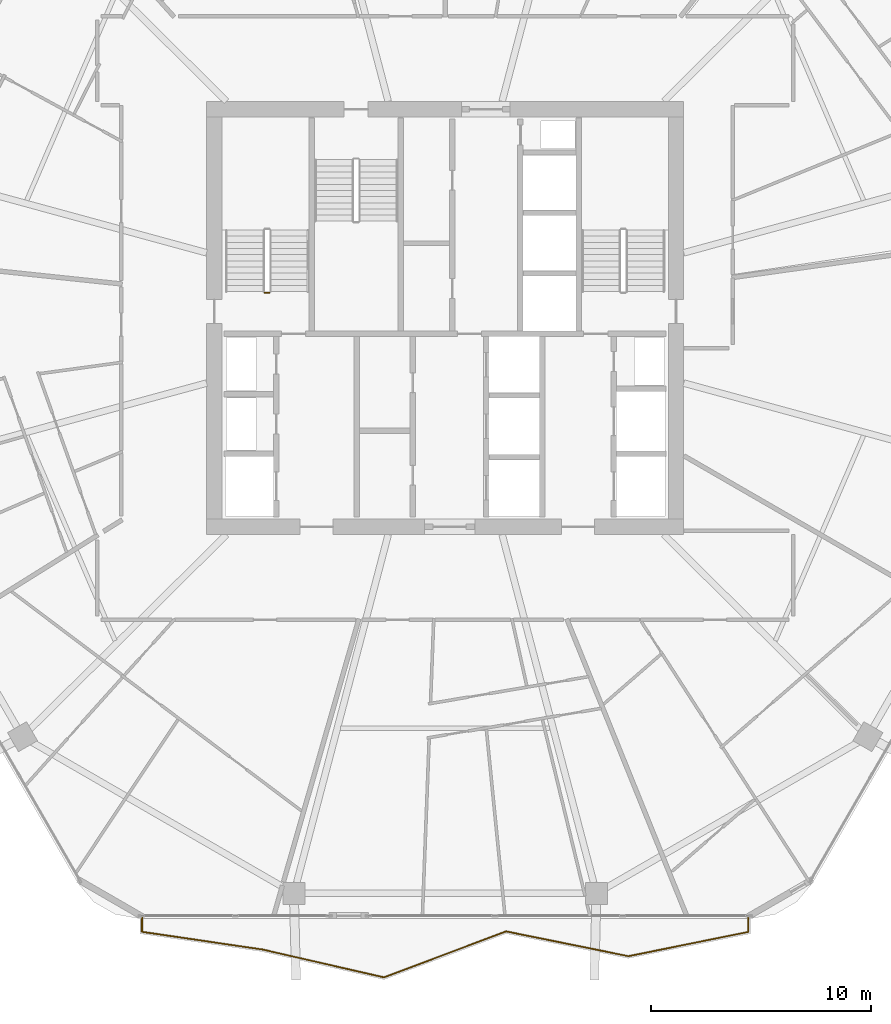
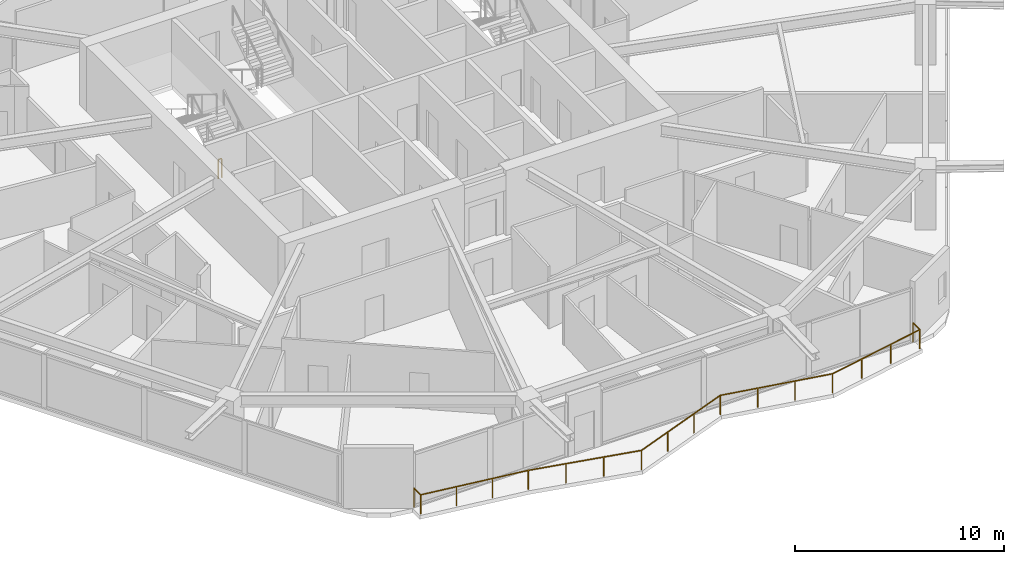
# One storey, part 23 of 25: 2 railings.
"""IFC4 building model written with IfcOpenShell, lengths in metres."""

import ifcopenshell
import ifcopenshell.guid

model = None  # the IFC model being written
_history = None  # IfcOwnerHistory: only IFC2X3 demands one
_inside = {}  # id of a spatial element -> (the spatial element, [elements in it])
_under = {}  # id of a project, library or spatial element -> (it, [spatial elements below it])
_declared = {}  # id of a project -> (the project, [libraries it declares])
_typed = {}  # id of a type object -> (the type object, [elements of that type])
_made_of = {}  # id of a material, layer set ... -> (it, [elements and type objects made of it])


def new_model(schema):
    """Start an empty IFC model of exactly this schema.

    Asked for "IFC4X3", IfcOpenShell would pick the latest addendum, in which some entities
    have other attributes; the version numbers below select the first issue.
    IFC2X3 requires an IfcOwnerHistory on every rooted entity: one is made here for all.
    """
    global model, _history
    if schema == "IFC4X3":
        model = ifcopenshell.file(schema_version=(4, 3, 0, 0))
    else:
        model = ifcopenshell.file(schema=schema)
    _inside.clear()
    _under.clear()
    _declared.clear()
    _typed.clear()
    _made_of.clear()
    _history = None
    if model.schema == "IFC2X3":
        org = make("IfcOrganization", Name="unknown")
        user = make(
            "IfcPersonAndOrganization",
            ThePerson=make("IfcPerson", FamilyName="unknown"),
            TheOrganization=org,
        )
        app = make(
            "IfcApplication",
            ApplicationDeveloper=org,
            Version="unknown",
            ApplicationFullName="unknown",
            ApplicationIdentifier="unknown",
        )
        _history = make(
            "IfcOwnerHistory",
            OwningUser=user,
            OwningApplication=app,
            ChangeAction="ADDED",
            CreationDate=0,
        )
    return model


def make(cls, **values):
    """One entity of the class cls with the attributes given. An attribute that is None is left unset."""
    return model.create_entity(
        cls, **{name: value for name, value in values.items() if value is not None}
    )


def rooted(cls, **values):
    """An entity with a GlobalId (a new one), such as an element, a storey or a relation."""
    return make(cls, GlobalId=ifcopenshell.guid.new(), OwnerHistory=_history, **values)


def si_unit(unit_type, name, prefix=None):
    """IfcSIUnit, for example si_unit("LENGTHUNIT", "METRE", prefix="MILLI")."""
    return make("IfcSIUnit", UnitType=unit_type, Prefix=prefix, Name=name)


def assignment(units):
    """IfcUnitAssignment: the units of a project."""
    return None if units is None else make("IfcUnitAssignment", Units=units)


def point(xyz):
    """IfcCartesianPoint."""
    return None if xyz is None else make("IfcCartesianPoint", Coordinates=xyz)


def direction(xyz):
    """IfcDirection."""
    return None if xyz is None else make("IfcDirection", DirectionRatios=xyz)


def frame(location, z_axis=None, x_axis=None):
    """IfcAxis2Placement3D, a coordinate frame: its origin and axes. An axis left out is left unset."""
    return make(
        "IfcAxis2Placement3D",
        Location=point(location),
        Axis=direction(z_axis),
        RefDirection=direction(x_axis),
    )


def frame_2d(location, x_axis=None):
    """IfcAxis2Placement2D, a coordinate frame in the plane: its origin and x axis."""
    return make(
        "IfcAxis2Placement2D", Location=point(location), RefDirection=direction(x_axis)
    )


def origin():
    """The frame at (0, 0, 0) with its axes left unset."""
    return frame((0.0, 0.0, 0.0))


def origin_2d():
    """The frame at (0, 0) in the plane with its x axis left unset."""
    return frame_2d((0.0, 0.0))


def place(relative_to, where):
    """IfcLocalPlacement: puts the frame where relative to a parent placement (None: the world)."""
    return make(
        "IfcLocalPlacement", PlacementRelTo=relative_to, RelativePlacement=where
    )


def context(
    kind, dimensions, precision=None, world=None, true_north=None, identifier=None
):
    """IfcGeometricRepresentationContext, for example the 3D "Model" context."""
    return make(
        "IfcGeometricRepresentationContext",
        ContextIdentifier=identifier,
        ContextType=kind,
        CoordinateSpaceDimension=dimensions,
        Precision=precision,
        WorldCoordinateSystem=world,
        TrueNorth=true_north,
    )


def subcontext(parent, identifier, kind, view, scale=None):
    """IfcGeometricRepresentationSubContext, for example "Body" below "Model"."""
    return make(
        "IfcGeometricRepresentationSubContext",
        ContextIdentifier=identifier,
        ContextType=kind,
        ParentContext=parent,
        TargetScale=scale,
        TargetView=view,
    )


def project(units=None, contexts=None):
    """IfcProject with its units and contexts."""
    return rooted(
        "IfcProject",
        Name="project",
        RepresentationContexts=contexts,
        UnitsInContext=assignment(units),
    )


def spatial(cls, under=None, at=None, **own):
    """A site, building, storey or space (cls), placed at a placement, below another one or the project."""
    s = rooted(cls, ObjectPlacement=at, **own)
    if under is not None:
        _under.setdefault(under.id(), (under, []))[1].append(s)
    return s


def profile(cls, at=None, kind="AREA", **sizes):
    """A parametric profile (cls). Its sizes go by their IFC names, for example OverallWidth=200.0."""
    return make(cls, ProfileType=kind, Position=at, **sizes)


def rectangle(**sizes):
    """IfcRectangleProfileDef."""
    return profile("IfcRectangleProfileDef", **sizes)


def extrude(swept, where, along, depth):
    """IfcExtrudedAreaSolid: the profile swept, set in the frame where, extruded along a direction by depth."""
    return make(
        "IfcExtrudedAreaSolid",
        SweptArea=swept,
        Position=where,
        ExtrudedDirection=direction(along),
        Depth=depth,
    )


def shape(context_of_items, identifier, shape_type, items):
    """IfcShapeRepresentation: the items that make up one representation, for example the "Body"."""
    return make(
        "IfcShapeRepresentation",
        ContextOfItems=context_of_items,
        RepresentationIdentifier=identifier,
        RepresentationType=shape_type,
        Items=items,
    )


def material(Name=None, Category=None):
    """IfcMaterial."""
    return make("IfcMaterial", Name=Name, Category=Category)


def made_of(thing, what):
    """Note that an element or type object is made of a material, layer set ...; save() writes the relation."""
    if what is not None:
        _made_of.setdefault(what.id(), (what, []))[1].append(thing)
    return thing


def type_object(cls, material=None, **own):
    """A type object (cls), such as IfcWallType, which elements share."""
    return made_of(rooted(cls, **own), material)


def element(
    cls,
    number,
    at=None,
    inside=None,
    cuts=None,
    type_object=None,
    material=None,
    context=None,
    identifier="Body",
    shape_type=None,
    held_by="IfcProductDefinitionShape",
    body=None,
    shapes=None,
    **own,
):
    """One element of the class cls, such as IfcWall. Its Tag is "e" and its number.

    at: its placement. inside: the storey or other place that contains it. cuts: it is an
    opening in that element (IfcRelVoidsElement). A single representation is given by context,
    identifier, shape_type and body (its items); several are given by shapes. held_by: the class
    of the entity that holds the representations. save() writes the other relations.
    """
    e = rooted(cls, Tag="e%d" % number, ObjectPlacement=at, **own)
    if body is not None:
        shapes = [shape(context, identifier, shape_type, body)]
    if shapes is not None:
        e.Representation = make(held_by, Representations=shapes)
    if inside is not None:
        _inside.setdefault(inside.id(), (inside, []))[1].append(e)
    if cuts is not None:
        rooted(
            "IfcRelVoidsElement", RelatingBuildingElement=cuts, RelatedOpeningElement=e
        )
    if type_object is not None:
        _typed.setdefault(type_object.id(), (type_object, []))[1].append(e)
    return made_of(e, material)


def aggregate(whole, parts):
    """IfcRelAggregates: a whole, such as a stair, and the parts it consists of."""
    return rooted("IfcRelAggregates", RelatingObject=whole, RelatedObjects=parts)


def save(model, path):
    """Write the relations noted so far, then the file.

    IfcRelAggregates (storeys below a building ...), IfcRelContainedInSpatialStructure (elements
    in a storey), IfcRelDefinesByType, IfcRelAssociatesMaterial and IfcRelDeclares: one each for
    every whole, place, type object, material and project.
    """
    for whole, parts in _under.values():
        aggregate(whole, parts)
    for where, things in _inside.values():
        rooted(
            "IfcRelContainedInSpatialStructure",
            RelatedElements=things,
            RelatingStructure=where,
        )
    for kind, things in _typed.values():
        rooted("IfcRelDefinesByType", RelatedObjects=things, RelatingType=kind)
    for what, things in _made_of.values():
        rooted("IfcRelAssociatesMaterial", RelatedObjects=things, RelatingMaterial=what)
    for by, libraries in _declared.values():
        rooted("IfcRelDeclares", RelatingContext=by, RelatedDefinitions=libraries)
    model.write(path)


model = new_model("IFC4")

# Units and contexts
model_context = context("Model", 3, precision=1e-05, world=origin(), true_north=direction((0.0, 1.0)))
body_context = subcontext(model_context, "Body", "Model", "MODEL_VIEW")
ifc_project = project(units=[si_unit("LENGTHUNIT", "METRE"), si_unit("AREAUNIT", "SQUARE_METRE"), si_unit("VOLUMEUNIT", "CUBIC_METRE"), si_unit("PLANEANGLEUNIT", "RADIAN"), si_unit("MASSUNIT", "GRAM", prefix="KILO")], contexts=[model_context])

# Site, building, storey
site_placement = place(None, origin())
site = spatial("IfcSite", under=ifc_project, at=site_placement, CompositionType="ELEMENT")
building_placement = place(site_placement, origin())
building = spatial("IfcBuilding", under=site, at=building_placement, Name="Zuhravey Tower", CompositionType="ELEMENT")
storey_placement = place(building_placement, frame((0.0, 0.0, 150.39990234375)))
storey = spatial("IfcBuildingStorey", under=building, at=storey_placement, Name="L37", CompositionType="ELEMENT", Elevation=150.39990234375)

# Railings
ifc_material_1 = material(Name="Stainless steel 316 and laminated glass", Category="steel")
railing_type_1 = type_object("IfcRailingType", Name="Balcony & Terrace Guardrail 1150", PredefinedType="BALUSTRADE", material=ifc_material_1)
railing_1_placement = place(storey_placement, frame((49.7900390625, 4.73193359375, 0.0)))
element("IfcRailing", 1, at=railing_1_placement, inside=storey, type_object=railing_type_1, Name="L37 Face 5 Wave Balcony Guardrail GR1", PredefinedType="BALUSTRADE", context=body_context, shape_type="SweptSolid", body=[
    extrude(rectangle(XDim=0.048095703125, YDim=0.048095703125, at=origin_2d()), frame((0.0, -0.001953125, 1.1259765625), z_axis=(0.0, -1.0, 0.0), x_axis=(1.0, 0.0, 0.0)), (0.0, 0.0, 1.0), 0.654296875),
    extrude(rectangle(XDim=0.048095703125, YDim=0.048095703125, at=origin_2d()), frame((-0.001953125, -0.65869140625, 1.1259765625), z_axis=(-0.980153280565, -0.198241132457, 0.0), x_axis=(0.198241132457, -0.980153280565, 0.0)), (0.0, 0.0, 1.0), 5.5625),
    extrude(rectangle(XDim=0.048095703125, YDim=0.048095703125, at=origin_2d()), frame((-5.4580078125, -1.76123046875, 1.1259765625), z_axis=(-0.980074652135, 0.198629494898, 0.0), x_axis=(-0.198629494898, -0.980074652135, 0.0)), (0.0, 0.0, 1.0), 5.67333984375),
    extrude(rectangle(XDim=0.048095703125, YDim=0.048095703125, at=origin_2d()), frame((-11.022216796875, -0.634765625, 1.1259765625), z_axis=(-0.935882144899, -0.352313228334, 0.0), x_axis=(0.352313228334, -0.935882144899, 0.0)), (0.0, 0.0, 1.0), 5.93115234375),
    extrude(rectangle(XDim=0.048095703125, YDim=0.048095703125, at=origin_2d()), frame((-16.576904296875, -2.724609375, 1.1259765625), z_axis=(-0.974707134461, 0.223486022001, 0.0), x_axis=(-0.223486022001, -0.974707134461, 0.0)), (0.0, 0.0, 1.0), 5.669921875),
    extrude(rectangle(XDim=0.048095703125, YDim=0.048095703125, at=origin_2d()), frame((-22.107421875, -1.456787109375, 1.1259765625), z_axis=(-0.989401310771, 0.14520690839, 0.0), x_axis=(-0.14520690839, -0.989401310771, 0.0)), (0.0, 0.0, 1.0), 5.529296875),
    extrude(rectangle(XDim=0.048095703125, YDim=0.048095703125, at=origin_2d()), frame((-27.580078125, -0.651611328125, 1.1259765625), z_axis=(0.0, 1.0, 0.0), x_axis=(-1.0, 0.0, 0.0)), (0.0, 0.0, 1.0), 0.649658203125),
    extrude(rectangle(XDim=0.0419921875, YDim=0.0419921875, at=origin_2d()), origin(), (0.0, 0.0, 1.0), 1.099853515625),
    extrude(rectangle(XDim=0.0419921875, YDim=0.0419921875, at=origin_2d()), frame((0.0, -0.658203125, 0.0)), (0.0, 0.0, 1.0), 1.099853515625),
    extrude(rectangle(XDim=0.0419921875, YDim=0.0419921875, at=origin_2d()), frame((-1.818603515625, -1.026123046875, 0.0)), (0.0, 0.0, 1.0), 1.099853515625),
    extrude(rectangle(XDim=0.0419921875, YDim=0.0419921875, at=origin_2d()), frame((-3.637451171875, -1.393798828125, 0.0)), (0.0, 0.0, 1.0), 1.099853515625),
    extrude(rectangle(XDim=0.0419921875, YDim=0.0419921875, at=origin_2d()), frame((-5.4560546875, -1.76171875, 0.0)), (0.0, 0.0, 1.0), 1.099853515625),
    extrude(rectangle(XDim=0.0419921875, YDim=0.0419921875, at=origin_2d()), frame((-7.310791015625, -1.3857421875, 0.0)), (0.0, 0.0, 1.0), 1.099853515625),
    extrude(rectangle(XDim=0.0419921875, YDim=0.0419921875, at=origin_2d()), frame((-9.16552734375, -1.010009765625, 0.0)), (0.0, 0.0, 1.0), 1.099853515625),
    extrude(rectangle(XDim=0.0419921875, YDim=0.0419921875, at=origin_2d()), frame((-11.020263671875, -0.634033203125, 0.0)), (0.0, 0.0, 1.0), 1.099853515625),
    extrude(rectangle(XDim=0.0419921875, YDim=0.0419921875, at=origin_2d()), frame((-12.871826171875, -1.3310546875, 0.0)), (0.0, 0.0, 1.0), 1.099853515625),
    extrude(rectangle(XDim=0.0419921875, YDim=0.0419921875, at=origin_2d()), frame((-14.723388671875, -2.028076171875, 0.0)), (0.0, 0.0, 1.0), 1.099853515625),
    extrude(rectangle(XDim=0.0419921875, YDim=0.0419921875, at=origin_2d()), frame((-16.574951171875, -2.72509765625, 0.0)), (0.0, 0.0, 1.0), 1.099853515625),
    extrude(rectangle(XDim=0.0419921875, YDim=0.0419921875, at=origin_2d()), frame((-18.41845703125, -2.302490234375, 0.0)), (0.0, 0.0, 1.0), 1.099853515625),
    extrude(rectangle(XDim=0.0419921875, YDim=0.0419921875, at=origin_2d()), frame((-20.261962890625, -1.879638671875, 0.0)), (0.0, 0.0, 1.0), 1.099853515625),
    extrude(rectangle(XDim=0.0419921875, YDim=0.0419921875, at=origin_2d()), frame((-22.10546875, -1.45703125, 0.0)), (0.0, 0.0, 1.0), 1.099853515625),
    extrude(rectangle(XDim=0.0419921875, YDim=0.0419921875, at=origin_2d()), frame((-23.930419921875, -1.189208984375, 0.0)), (0.0, 0.0, 1.0), 1.099853515625),
    extrude(rectangle(XDim=0.0419921875, YDim=0.0419921875, at=origin_2d()), frame((-25.755126953125, -0.92138671875, 0.0)), (0.0, 0.0, 1.0), 1.099853515625),
    extrude(rectangle(XDim=0.0419921875, YDim=0.0419921875, at=origin_2d()), frame((-27.580078125, -0.653564453125, 0.0)), (0.0, 0.0, 1.0), 1.099853515625),
    extrude(rectangle(XDim=0.0419921875, YDim=0.0419921875, at=origin_2d()), frame((-27.580078125, 0.0, 0.0)), (0.0, 0.0, 1.0), 1.099853515625),
])
ifc_material_2 = material(Name="Painted tubular steel", Category="steel")
railing_type_2 = type_object("IfcRailingType", Name="Stair Well Guardrail 1150", PredefinedType="GUARDRAIL", material=ifc_material_2)
railing_2_placement = place(storey_placement, frame((28.0, 33.14990234375, 0.0)))
element("IfcRailing", 2, at=railing_2_placement, inside=storey, type_object=railing_type_2, Name="L37 ST1 stair guard 4", PredefinedType="GUARDRAIL", context=body_context, shape_type="SweptSolid", body=[
    extrude(rectangle(XDim=0.048095703125, YDim=0.048095703125, at=origin_2d()), frame((-0.001953125, 0.0, 1.1259765625), z_axis=(-1.0, 0.0, 0.0), x_axis=(0.0, -1.0, 0.0)), (0.0, 0.0, 1.0), 0.196044921875),
    extrude(rectangle(XDim=0.0419921875, YDim=0.0419921875, at=origin_2d()), origin(), (0.0, 0.0, 1.0), 1.099853515625),
    extrude(rectangle(XDim=0.0419921875, YDim=0.0419921875, at=origin_2d()), frame((-0.199951171875, 0.0, 0.0)), (0.0, 0.0, 1.0), 1.099853515625),
])

save(model, "model.ifc")
